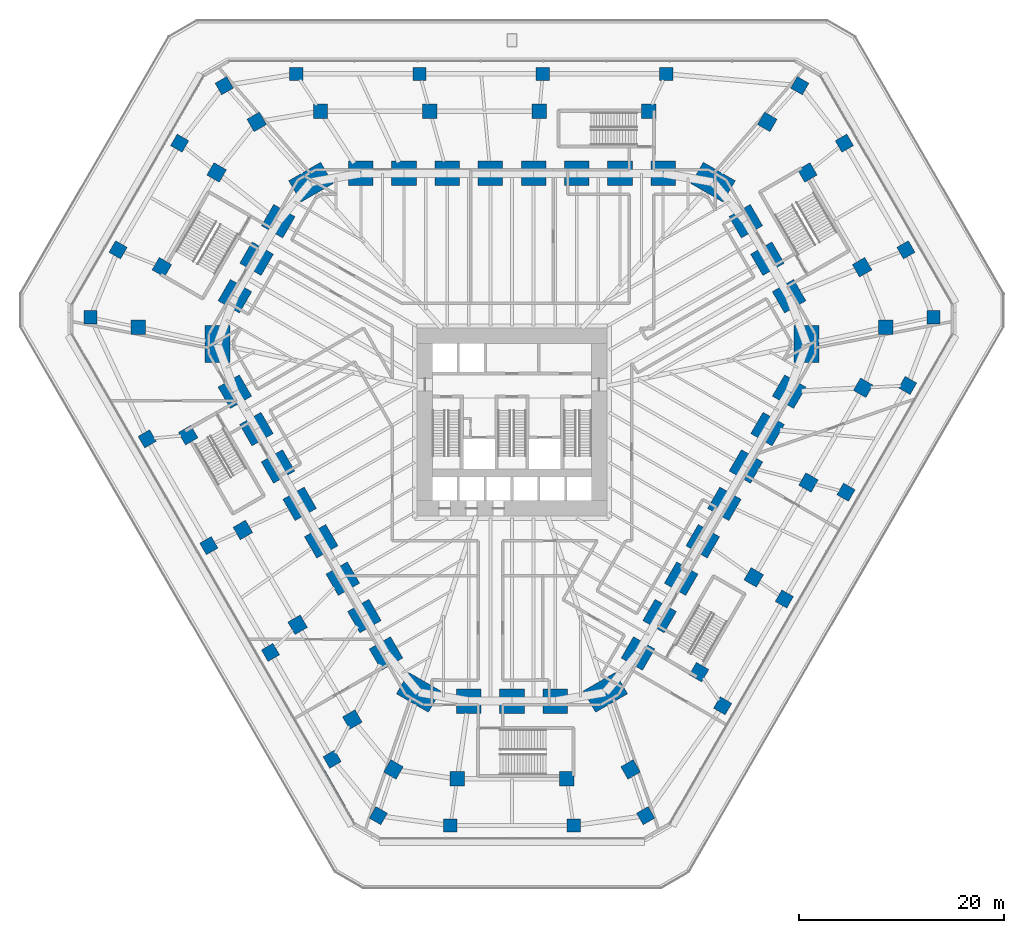
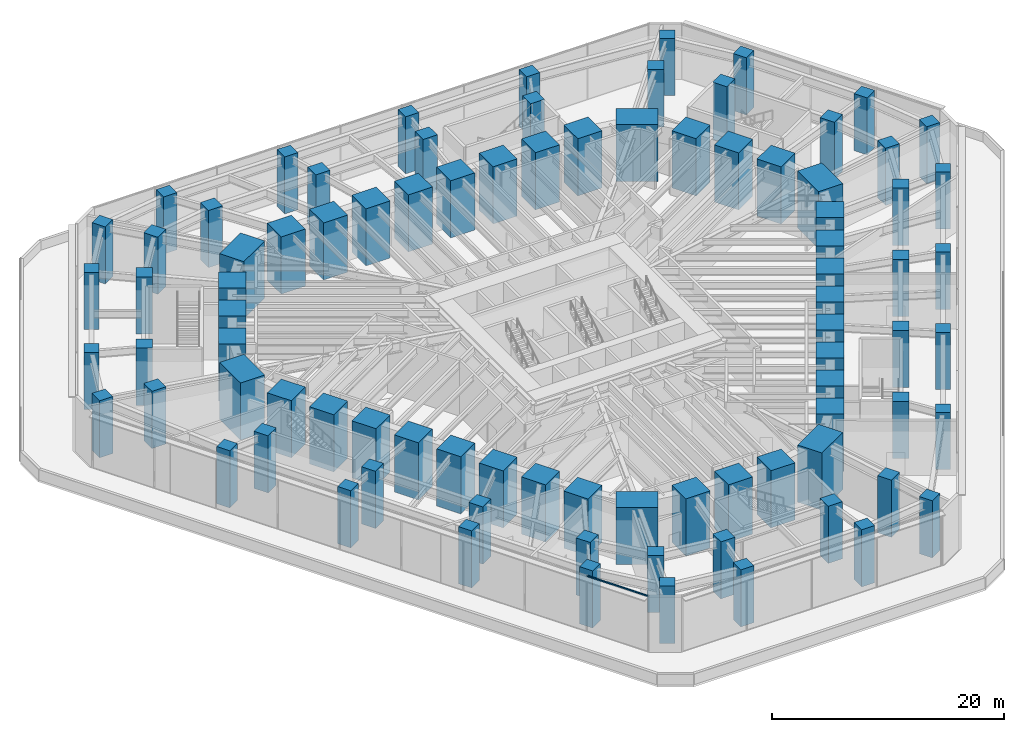
# One storey, part 1 of 25: 87 columns, 1 member, 1 element without a shape of its own.
"""IFC4 building model written with IfcOpenShell, lengths in metres."""

from ifc_helpers import new_model, si_unit, direction, frame, origin, origin_2d, place, context, subcontext, project, spatial, rectangle, extrude, material, material_profile, profile_set, type_object, element, aggregate, save


model = new_model("IFC4")

# Units and contexts
model_context = context("Model", 3, precision=1e-05, world=origin(), true_north=direction((0.0, 1.0)))
body_context = subcontext(model_context, "Body", "Model", "MODEL_VIEW")
ifc_project = project(units=[si_unit("LENGTHUNIT", "METRE"), si_unit("AREAUNIT", "SQUARE_METRE"), si_unit("VOLUMEUNIT", "CUBIC_METRE"), si_unit("PLANEANGLEUNIT", "RADIAN"), si_unit("MASSUNIT", "GRAM", prefix="KILO")], contexts=[model_context])

# Site, building, storey
site_placement = place(None, origin())
site = spatial("IfcSite", under=ifc_project, at=site_placement, CompositionType="ELEMENT")
building_placement = place(site_placement, origin())
building = spatial("IfcBuilding", under=site, at=building_placement, Name="Sandreach Pilgrim Tower", CompositionType="ELEMENT")
storey_placement = place(building_placement, frame((0.0, 0.0, 6.0)))
storey = spatial("IfcBuildingStorey", under=building, at=storey_placement, Name="L01", CompositionType="ELEMENT", Elevation=6.0)

# Columns
ifc_material_1 = material(Name="Concrete 10000 psi", Category="concrete")
ifc_material_profile_1 = material_profile(ifc_material_1, rectangle(XDim=1.300048828125, YDim=1.300048828125, at=origin_2d()), Name="RC1300X1300")
ifc_profile_set_1 = profile_set([ifc_material_profile_1], Name="Concrete 10000 psi")
column_type_1 = type_object("IfcColumnType", Name="Podium column RC1300X1300", PredefinedType="COLUMN", material=ifc_profile_set_1)
for number, where, z_axis, x_axis, name in (
    (1, (-21.033935546875, 32.38818359375, 0.0), (0.0, 0.0, 1.0), (0.0, 1.0, 0.0), "COL L01 R140-01"),
    (2, (-9.014404296875, 32.38818359375, 0.0), (0.0, 0.0, 1.0), (0.0, 1.0, 0.0), "COL L01 R140-03"),
    (3, (3.0048828125, 32.38818359375, 0.0), (0.0, 0.0, 1.0), (0.0, 1.0, 0.0), "COL L01 R140-05"),
    (4, (15.024169921875, 32.38818359375, 0.0), (0.0, 0.0, 1.0), (0.0, 1.0, 0.0), "COL L01 R140-07"),
    (5, (28.052490234375, 31.240966796875, 0.0), (0.0, 0.0, 1.0), (0.5, 0.866025403784, 0.0), "COL L01 R140-09"),
    (6, (32.3974609375, 25.63623046875, 0.0), (0.0, 0.0, 1.0), (0.866025403784, 0.5, 0.0), "COL L01 R140-10"),
    (7, (38.400390625, 15.239013671875, 0.0), (0.0, 0.0, 1.0), (0.866025403784, 0.5, 0.0), "COL L01 R140-12"),
    (8, (41.081787109375, 8.673583984375, 0.0), (0.0, 0.0, 1.0), (1.0, 0.0, 0.0), "COL L01 R140-13"),
    (9, (38.56591796875, 2.021728515625, 0.0), (0.0, 0.0, 1.0), (0.866025403784, -0.5, 0.0), "COL L01 R140-14"),
    (10, (32.55615234375, -8.38720703125, 0.0), (0.0, 0.0, 1.0), (0.866025403784, -0.5, 0.0), "COL L01 R140-16"),
    (11, (26.546630859375, -18.79638671875, 0.0), (0.0, 0.0, 1.0), (0.866025403784, -0.5, 0.0), "COL L01 R140-18"),
    (12, (20.536865234375, -29.205322265625, 0.0), (0.0, 0.0, 1.0), (0.866025403784, -0.5, 0.0), "COL L01 R140-20"),
    (13, (13.029296875, -39.91455078125, 0.0), (0.0, 0.0, 1.0), (0.5, -0.866025403784, 0.0), "COL L01 R140-22"),
    (14, (6.0029296875, -40.875244140625, 0.0), (0.0, 0.0, 1.0), (0.0, -1.0, 0.0), "COL L01 R140-23"),
    (15, (-6.0029296875, -40.875244140625, 0.0), (0.0, 0.0, 1.0), (0.0, -1.0, 0.0), "COL L01 R140-25"),
    (16, (-13.029296875, -39.91455078125, 0.0), (0.0, 0.0, 1.0), (-0.5, -0.866025403784, 0.0), "COL L01 R140-26"),
    (17, (-17.531982421875, -34.409912109375, 0.0), (0.0, 0.0, 1.0), (-0.866025403784, -0.5, 0.0), "COL L01 R140-27"),
    (18, (-23.541748046875, -24.0009765625, 0.0), (0.0, 0.0, 1.0), (-0.866025403784, -0.5, 0.0), "COL L01 R140-29"),
    (19, (-29.551513671875, -13.591796875, 0.0), (0.0, 0.0, 1.0), (-0.866025403784, -0.5, 0.0), "COL L01 R140-31"),
    (20, (-35.56103515625, -3.182861328125, 0.0), (0.0, 0.0, 1.0), (-0.866025403784, -0.5, 0.0), "COL L01 R140-33"),
    (21, (-41.081787109375, 8.673583984375, 0.0), (0.0, 0.0, 1.0), (-1.0, 0.0, 0.0), "COL L01 R140-35"),
    (22, (-38.400390625, 15.239013671875, 0.0), (0.0, 0.0, 1.0), (-0.866025403784, 0.5, 0.0), "COL L01 R140-36"),
    (23, (-32.3974609375, 25.63623046875, 0.0), (0.0, 0.0, 1.0), (-0.866025403784, 0.5, 0.0), "COL L01 R140-38"),
    (24, (-28.052490234375, 31.240966796875, 0.0), (0.0, 0.0, 1.0), (-0.5, 0.866025403784, 0.0), "COL L01 R140-39"),
):
    element("IfcColumn", number, at=place(storey_placement, frame(where, z_axis=z_axis, x_axis=x_axis)), inside=storey, type_object=column_type_1, Name=name, PredefinedType="COLUMN", context=body_context, shape_type="SweptSolid", body=[
        extrude(rectangle(XDim=1.300048828125, YDim=1.300048828125, at=origin_2d()), origin(), (0.0, 0.0, 1.0), 6.0),
    ])
ifc_material_2 = material(Name="Concrete 10000 psi", Category="concrete")
ifc_material_profile_2 = material_profile(ifc_material_2, rectangle(XDim=1.39990234375, YDim=1.39990234375, at=origin_2d()), Name="RC1400X1400")
ifc_profile_set_2 = profile_set([ifc_material_profile_2], Name="Concrete 10000 psi")
column_type_2 = type_object("IfcColumnType", Name="Podium column RC1400X1400", PredefinedType="COLUMN", material=ifc_profile_set_2)
for number, where, z_axis, x_axis, name in (
    (25, (-18.671630859375, 28.7509765625, 0.0), (0.0, 0.0, 1.0), (0.0, 1.0, 0.0), "COL L01 R125-01"),
    (26, (-8.002197265625, 28.7509765625, 0.0), (0.0, 0.0, 1.0), (0.0, 1.0, 0.0), "COL L01 R125-03"),
    (27, (2.66748046875, 28.7509765625, 0.0), (0.0, 0.0, 1.0), (0.0, 1.0, 0.0), "COL L01 R125-05"),
    (28, (13.3369140625, 28.7509765625, 0.0), (0.0, 0.0, 1.0), (0.0, 1.0, 0.0), "COL L01 R125-07"),
    (29, (24.88525390625, 27.713623046875, 0.0), (0.0, 0.0, 1.0), (0.5, 0.866025403784, 0.0), "COL L01 R125-09"),
    (30, (28.7939453125, 22.78466796875, 0.0), (0.0, 0.0, 1.0), (0.866025403784, 0.5, 0.0), "COL L01 R125-10"),
    (31, (34.129150390625, 13.5439453125, 0.0), (0.0, 0.0, 1.0), (0.866025403784, 0.5, 0.0), "COL L01 R125-12"),
    (32, (36.443359375, 7.6943359375, 0.0), (0.0, 0.0, 1.0), (1.0, 0.0, 0.0), "COL L01 R125-13"),
    (33, (34.23486328125, 1.794677734375, 0.0), (0.0, 0.0, 1.0), (0.866025403784, -0.5, 0.0), "COL L01 R125-14"),
    (34, (28.900146484375, -7.4453125, 0.0), (0.0, 0.0, 1.0), (0.866025403784, -0.5, 0.0), "COL L01 R125-16"),
    (35, (23.5654296875, -16.685546875, 0.0), (0.0, 0.0, 1.0), (0.866025403784, -0.5, 0.0), "COL L01 R125-18"),
    (36, (18.23046875, -25.925537109375, 0.0), (0.0, 0.0, 1.0), (0.866025403784, -0.5, 0.0), "COL L01 R125-20"),
    (37, (11.55810546875, -35.407958984375, 0.0), (0.0, 0.0, 1.0), (0.5, -0.866025403784, 0.0), "COL L01 R125-22"),
    (38, (5.335205078125, -36.32861328125, 0.0), (0.0, 0.0, 1.0), (0.0, -1.0, 0.0), "COL L01 R125-23"),
    (39, (-5.335205078125, -36.32861328125, 0.0), (0.0, 0.0, 1.0), (0.0, -1.0, 0.0), "COL L01 R125-25"),
    (40, (-11.55810546875, -35.407958984375, 0.0), (0.0, 0.0, 1.0), (-0.5, -0.866025403784, 0.0), "COL L01 R125-26"),
    (41, (-15.563232421875, -30.545654296875, 0.0), (0.0, 0.0, 1.0), (-0.866025403784, -0.5, 0.0), "COL L01 R125-27"),
    (42, (-20.89794921875, -21.305419921875, 0.0), (0.0, 0.0, 1.0), (-0.866025403784, -0.5, 0.0), "COL L01 R125-29"),
    (43, (-26.232666015625, -12.0654296875, 0.0), (0.0, 0.0, 1.0), (-0.866025403784, -0.5, 0.0), "COL L01 R125-31"),
    (44, (-31.5673828125, -2.825439453125, 0.0), (0.0, 0.0, 1.0), (-0.866025403784, -0.5, 0.0), "COL L01 R125-33"),
    (45, (-36.443359375, 7.6943359375, 0.0), (0.0, 0.0, 1.0), (-1.0, 0.0, 0.0), "COL L01 R125-35"),
    (46, (-34.129150390625, 13.5439453125, 0.0), (0.0, 0.0, 1.0), (-0.866025403784, 0.5, 0.0), "COL L01 R125-36"),
    (47, (-28.7939453125, 22.78466796875, 0.0), (0.0, 0.0, 1.0), (-0.866025403784, 0.5, 0.0), "COL L01 R125-38"),
    (48, (-24.88525390625, 27.713623046875, 0.0), (0.0, 0.0, 1.0), (-0.5, 0.866025403784, 0.0), "COL L01 R125-39"),
):
    element("IfcColumn", number, at=place(storey_placement, frame(where, z_axis=z_axis, x_axis=x_axis)), inside=storey, type_object=column_type_2, Name=name, PredefinedType="COLUMN", context=body_context, shape_type="SweptSolid", body=[
        extrude(rectangle(XDim=1.39990234375, YDim=1.39990234375, at=origin_2d()), origin(), (0.0, 0.0, 1.0), 6.0),
    ])
ifc_material_3 = material(Name="Concrete 10000 psi", Category="concrete")
ifc_material_profile_3 = material_profile(ifc_material_3, rectangle(XDim=2.39990234375, YDim=2.39990234375, at=origin_2d()), Name="RC2400X2400")
ifc_profile_set_3 = profile_set([ifc_material_profile_3], Name="Concrete 10000 psi")
column_type_3 = type_object("IfcColumnType", Name="Tube column RC2400X2400", PredefinedType="COLUMN", material=ifc_profile_set_3)
for number, where, z_axis, x_axis, name in (
    (49, (-14.734619140625, 22.688720703125, 0.0), (0.0, 0.0, 1.0), (0.0, 1.0, 0.0), "COL L01 T01"),
    (50, (-10.52490234375, 22.688720703125, 0.0), (0.0, 0.0, 1.0), (0.0, 1.0, 0.0), "COL L01 T02"),
    (51, (-6.31494140625, 22.688720703125, 0.0), (0.0, 0.0, 1.0), (0.0, 1.0, 0.0), "COL L01 T03"),
    (52, (-2.10498046875, 22.688720703125, 0.0), (0.0, 0.0, 1.0), (0.0, 1.0, 0.0), "COL L01 T04"),
    (53, (2.10498046875, 22.688720703125, 0.0), (0.0, 0.0, 1.0), (0.0, 1.0, 0.0), "COL L01 T05"),
    (54, (6.31494140625, 22.688720703125, 0.0), (0.0, 0.0, 1.0), (0.0, 1.0, 0.0), "COL L01 T06"),
    (55, (10.52490234375, 22.688720703125, 0.0), (0.0, 0.0, 1.0), (0.0, 1.0, 0.0), "COL L01 T07"),
    (56, (14.734619140625, 22.688720703125, 0.0), (0.0, 0.0, 1.0), (0.0, 1.0, 0.0), "COL L01 T08"),
    (57, (22.787841796875, 18.031982421875, 0.0), (0.0, 0.0, 1.0), (0.866025403784, 0.5, 0.0), "COL L01 T10"),
    (58, (24.89892578125, 14.37548828125, 0.0), (0.0, 0.0, 1.0), (0.866025403784, 0.5, 0.0), "COL L01 T11"),
    (59, (27.01025390625, 10.71875, 0.0), (0.0, 0.0, 1.0), (0.866025403784, 0.5, 0.0), "COL L01 T12"),
    (60, (27.016357421875, 1.416259765625, 0.0), (0.0, 0.0, 1.0), (0.866025403784, -0.5, 0.0), "COL L01 T14"),
    (61, (24.911376953125, -2.229736328125, 0.0), (0.0, 0.0, 1.0), (0.866025403784, -0.5, 0.0), "COL L01 T15"),
    (62, (22.806396484375, -5.87548828125, 0.0), (0.0, 0.0, 1.0), (0.866025403784, -0.5, 0.0), "COL L01 T16"),
    (63, (20.701416015625, -9.521484375, 0.0), (0.0, 0.0, 1.0), (0.866025403784, -0.5, 0.0), "COL L01 T17"),
    (64, (18.596435546875, -13.167236328125, 0.0), (0.0, 0.0, 1.0), (0.866025403784, -0.5, 0.0), "COL L01 T18"),
    (65, (16.491455078125, -16.813232421875, 0.0), (0.0, 0.0, 1.0), (0.866025403784, -0.5, 0.0), "COL L01 T19"),
    (66, (14.38671875, -20.458984375, 0.0), (0.0, 0.0, 1.0), (0.866025403784, -0.5, 0.0), "COL L01 T20"),
    (67, (12.28173828125, -24.10498046875, 0.0), (0.0, 0.0, 1.0), (0.866025403784, -0.5, 0.0), "COL L01 T21"),
    (68, (4.222412109375, -28.7509765625, 0.0), (0.0, 0.0, 1.0), (0.0, -1.0, 0.0), "COL L01 T23"),
    (69, (0.0, -28.7509765625, 0.0), (0.0, 0.0, 1.0), (0.0, -1.0, 0.0), "COL L01 T24"),
    (70, (-4.222412109375, -28.7509765625, 0.0), (0.0, 0.0, 1.0), (0.0, -1.0, 0.0), "COL L01 T25"),
    (71, (-12.28173828125, -24.10498046875, 0.0), (0.0, 0.0, 1.0), (-0.866025403784, -0.5, 0.0), "COL L01 T27"),
    (72, (-14.38671875, -20.458984375, 0.0), (0.0, 0.0, 1.0), (-0.866025403784, -0.5, 0.0), "COL L01 T28"),
    (73, (-16.491455078125, -16.813232421875, 0.0), (0.0, 0.0, 1.0), (-0.866025403784, -0.5, 0.0), "COL L01 T29"),
    (74, (-18.596435546875, -13.167236328125, 0.0), (0.0, 0.0, 1.0), (-0.866025403784, -0.5, 0.0), "COL L01 T30"),
    (75, (-20.701416015625, -9.521484375, 0.0), (0.0, 0.0, 1.0), (-0.866025403784, -0.5, 0.0), "COL L01 T31"),
    (76, (-22.806396484375, -5.87548828125, 0.0), (0.0, 0.0, 1.0), (-0.866025403784, -0.5, 0.0), "COL L01 T32"),
    (77, (-24.911376953125, -2.229736328125, 0.0), (0.0, 0.0, 1.0), (-0.866025403784, -0.5, 0.0), "COL L01 T33"),
    (78, (-27.016357421875, 1.416259765625, 0.0), (0.0, 0.0, 1.0), (-0.866025403784, -0.5, 0.0), "COL L01 T34"),
    (79, (-27.01025390625, 10.71875, 0.0), (0.0, 0.0, 1.0), (-0.866025403784, 0.5, 0.0), "COL L01 T36"),
    (80, (-24.89892578125, 14.37548828125, 0.0), (0.0, 0.0, 1.0), (-0.866025403784, 0.5, 0.0), "COL L01 T37"),
    (81, (-22.787841796875, 18.031982421875, 0.0), (0.0, 0.0, 1.0), (-0.866025403784, 0.5, 0.0), "COL L01 T38"),
):
    element("IfcColumn", number, at=place(storey_placement, frame(where, z_axis=z_axis, x_axis=x_axis)), inside=storey, type_object=column_type_3, Name=name, PredefinedType="COLUMN", context=body_context, shape_type="SweptSolid", body=[
        extrude(rectangle(XDim=2.39990234375, YDim=2.39990234375, at=origin_2d()), origin(), (0.0, 0.0, 1.0), 6.0),
    ])
ifc_material_4 = material(Name="Concrete 10000 psi", Category="concrete")
ifc_material_profile_4 = material_profile(ifc_material_4, rectangle(XDim=2.39990234375, YDim=3.60009765625, at=origin_2d()), Name="RC2400X3600")
ifc_profile_set_4 = profile_set([ifc_material_profile_4], Name="Concrete 10000 psi")
column_type_4 = type_object("IfcColumnType", Name="Tube corner pier RC2400X3600", PredefinedType="COLUMN", material=ifc_profile_set_4)
for number, where, z_axis, x_axis, name in (
    (82, (19.6064453125, 21.834716796875, 0.0), (0.0, 0.0, 1.0), (0.5, 0.866025403784, 0.0), "COL L01 T09"),
    (83, (28.712646484375, 6.062255859375, 0.0), (0.0, 0.0, 1.0), (1.0, 0.0, 0.0), "COL L01 T13"),
    (84, (9.1064453125, -27.89697265625, 0.0), (0.0, 0.0, 1.0), (0.5, -0.866025403784, 0.0), "COL L01 T22"),
    (85, (-9.1064453125, -27.89697265625, 0.0), (0.0, 0.0, 1.0), (-0.5, -0.866025403784, 0.0), "COL L01 T26"),
    (86, (-28.712646484375, 6.062255859375, 0.0), (0.0, 0.0, 1.0), (-1.0, 0.0, 0.0), "COL L01 T35"),
    (87, (-19.6064453125, 21.834716796875, 0.0), (0.0, 0.0, 1.0), (-0.5, 0.866025403784, 0.0), "COL L01 T39"),
):
    element("IfcColumn", number, at=place(storey_placement, frame(where, z_axis=z_axis, x_axis=x_axis)), inside=storey, type_object=column_type_4, Name=name, PredefinedType="COLUMN", context=body_context, shape_type="SweptSolid", body=[
        extrude(rectangle(XDim=2.39990234375, YDim=3.60009765625, at=origin_2d()), origin(), (0.0, 0.0, 1.0), 6.0),
    ])

# Curtain wall, member
ifc_material_5 = material(Name="Aluminium framed curtain wall", Category="aluminium")
curtain_wall_type = type_object("IfcCurtainWallType", Name="Podium storefront curtain wall", PredefinedType="NOTDEFINED", material=ifc_material_5)
curtain_wall_placement = place(storey_placement, origin())
curtain_wall = element("IfcCurtainWall", 88, at=curtain_wall_placement, inside=storey, type_object=curtain_wall_type, Name="CW-P L01 SW", PredefinedType="NOTDEFINED")
ifc_material_6 = material(Name="Aluminium extrusion", Category="aluminium")
ifc_material_profile_5 = material_profile(ifc_material_6, rectangle(XDim=0.159912109375, YDim=0.070068359375, at=origin_2d()), Name="CW-PT 160X70")
ifc_profile_set_5 = profile_set([ifc_material_profile_5], Name="Aluminium extrusion")
member_type = type_object("IfcMemberType", Name="CW-P transom", PredefinedType="USERDEFINED", material=ifc_profile_set_5)
member_placement = place(storey_placement, frame((-15.3701171875, -40.674560546875, 5.804931640625), z_axis=(-0.500009808318, 0.866019740875, 0.0), x_axis=(-0.866019740875, -0.500009808318, 0.0)))
member = element("IfcMember", 89, at=member_placement, type_object=member_type, Name="CW-P head transom 1", ObjectType="TRANSOM", PredefinedType="USERDEFINED", context=body_context, shape_type="SweptSolid", body=[
    extrude(rectangle(XDim=0.159912109375, YDim=0.070068359375, at=origin_2d()), origin(), (0.0, 0.0, 1.0), 6.03076171875),
])
aggregate(curtain_wall, [member])

save(model, "model.ifc")
